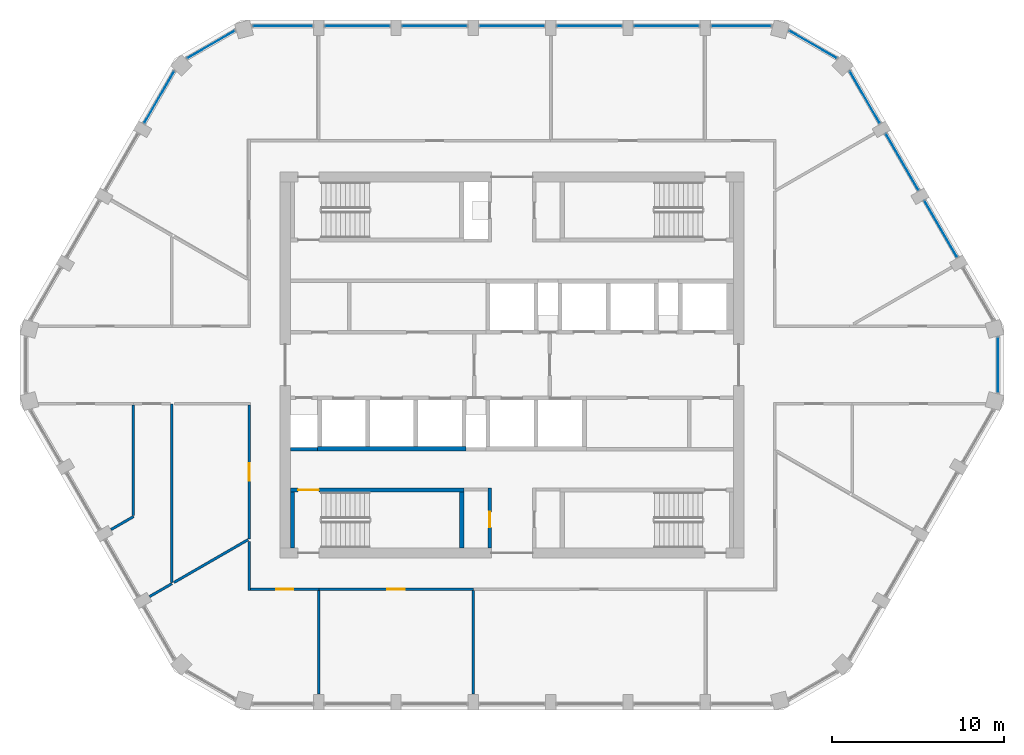
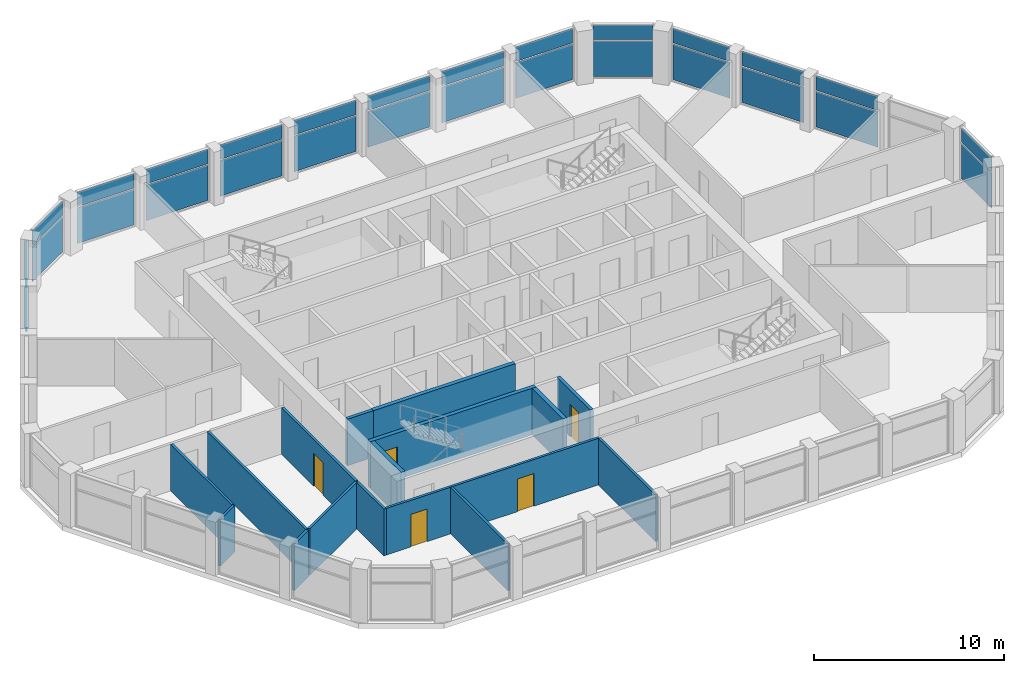
# One storey, part 8 of 15: 28 plates, 17 walls, 5 doors, 5 openings, 14 elements without a shape of their own.
"""IFC4 building model written with IfcOpenShell, lengths in metres."""

from ifc_helpers import new_model, si_unit, direction, frame, frame_2d, origin, origin_2d, place, context, subcontext, project, spatial, polyline, rectangle, outline, extrude, material, layer, layer_set, type_object, element, fill, aggregate, save


model = new_model("IFC4")

# Units and contexts
model_context = context("Model", 3, precision=1e-05, world=origin(), true_north=direction((0.0, 1.0)))
body_context = subcontext(model_context, "Body", "Model", "MODEL_VIEW")
ifc_project = project(units=[si_unit("LENGTHUNIT", "METRE"), si_unit("AREAUNIT", "SQUARE_METRE"), si_unit("VOLUMEUNIT", "CUBIC_METRE"), si_unit("PLANEANGLEUNIT", "RADIAN"), si_unit("MASSUNIT", "GRAM", prefix="KILO")], contexts=[model_context])

# Site, building, storey
site_placement = place(None, origin())
site = spatial("IfcSite", under=ifc_project, at=site_placement, CompositionType="ELEMENT")
building_placement = place(site_placement, origin())
building = spatial("IfcBuilding", under=site, at=building_placement, Name="Dhurran Vertical Campus", CompositionType="ELEMENT")
storey_placement = place(building_placement, frame((0.0, 0.0, 306.0)))
storey = spatial("IfcBuildingStorey", under=building, at=storey_placement, Name="L76", CompositionType="ELEMENT", Elevation=306.0)

# Curtain wall, plates
ifc_material_1 = material(Name="Aluminium frame with solar-control glass", Category="aluminium")
ifc_layer_1 = layer(ifc_material_1, 0.219970703125)
ifc_layer_set_1 = layer_set([ifc_layer_1], Name="Aluminium frame with solar-control glass")
curtain_wall_type = type_object("IfcCurtainWallType", Name="Student lounge glazing system", PredefinedType="NOTDEFINED", material=ifc_layer_set_1)
curtain_wall_1_placement = place(storey_placement, origin())
curtain_wall_1 = element("IfcCurtainWall", 1, at=curtain_wall_1_placement, inside=storey, type_object=curtain_wall_type, Name="CW5 L76.12", PredefinedType="NOTDEFINED")
ifc_material_2 = material(Name="Clear solar-control glass", Category="glass")
ifc_layer_2 = layer(ifc_material_2, 0.028076171875)
ifc_layer_set_2 = layer_set([ifc_layer_2], Name="Clear solar-control glass")
plate_type = type_object("IfcPlateType", Name="Student lounge glazing system panel", PredefinedType="CURTAIN_PANEL", material=ifc_layer_set_2)
plate_1_placement = place(storey_placement, frame((28.297119140625, 0.0, 0.070068359375), z_axis=(0.0, 0.0, 1.0), x_axis=(0.0, 1.0, 0.0)))
plate_1 = element("IfcPlate", 2, at=plate_1_placement, type_object=plate_type, Name="CW5 panel 1.1", PredefinedType="CURTAIN_PANEL", context=body_context, shape_type="SweptSolid", body=[
    extrude(rectangle(XDim=3.159912109375, YDim=0.028076171875, at=origin_2d()), origin(), (0.0, 0.0, 1.0), 2.294921875),
])
plate_2_placement = place(storey_placement, frame((28.297119140625, 0.0, 2.43505859375), z_axis=(0.0, 0.0, 1.0), x_axis=(0.0, 1.0, 0.0)))
plate_2 = element("IfcPlate", 3, at=plate_2_placement, type_object=plate_type, Name="CW5 panel 1.2", PredefinedType="CURTAIN_PANEL", context=body_context, shape_type="SweptSolid", body=[
    extrude(rectangle(XDim=3.159912109375, YDim=0.028076171875, at=origin_2d()), origin(), (0.0, 0.0, 1.0), 0.945068359375),
])
aggregate(curtain_wall_1, [plate_1, plate_2])

curtain_wall_2_placement = place(storey_placement, origin())
curtain_wall_2 = element("IfcCurtainWall", 4, at=curtain_wall_2_placement, inside=storey, type_object=curtain_wall_type, Name="CW5 L76.14", PredefinedType="NOTDEFINED")
plate_3_placement = place(storey_placement, frame((24.968994140625, 7.920654296875, 0.070068359375), z_axis=(0.0, 0.0, 1.0), x_axis=(-0.5000036704, 0.866023284668, 0.0)))
plate_3 = element("IfcPlate", 5, at=plate_3_placement, type_object=plate_type, Name="CW5 panel 1.1", PredefinedType="CURTAIN_PANEL", context=body_context, shape_type="SweptSolid", body=[
    extrude(rectangle(XDim=3.759033203125, YDim=0.028076171875, at=origin_2d()), origin(), (0.0, 0.0, 1.0), 2.294921875),
])
plate_4_placement = place(storey_placement, frame((24.968994140625, 7.920654296875, 2.43505859375), z_axis=(0.0, 0.0, 1.0), x_axis=(-0.5000036704, 0.866023284668, 0.0)))
plate_4 = element("IfcPlate", 6, at=plate_4_placement, type_object=plate_type, Name="CW5 panel 1.2", PredefinedType="CURTAIN_PANEL", context=body_context, shape_type="SweptSolid", body=[
    extrude(rectangle(XDim=3.759033203125, YDim=0.028076171875, at=origin_2d()), origin(), (0.0, 0.0, 1.0), 0.945068359375),
])
aggregate(curtain_wall_2, [plate_3, plate_4])

curtain_wall_3_placement = place(storey_placement, origin())
curtain_wall_3 = element("IfcCurtainWall", 7, at=curtain_wall_3_placement, inside=storey, type_object=curtain_wall_type, Name="CW5 L76.15", PredefinedType="NOTDEFINED")
plate_5_placement = place(storey_placement, frame((22.718994140625, 11.81787109375, 0.070068359375), z_axis=(0.0, 0.0, 1.0), x_axis=(-0.5000036704, 0.866023284668, 0.0)))
plate_5 = element("IfcPlate", 8, at=plate_5_placement, type_object=plate_type, Name="CW5 panel 1.1", PredefinedType="CURTAIN_PANEL", context=body_context, shape_type="SweptSolid", body=[
    extrude(rectangle(XDim=3.759033203125, YDim=0.028076171875, at=origin_2d()), origin(), (0.0, 0.0, 1.0), 2.294921875),
])
plate_6_placement = place(storey_placement, frame((22.718994140625, 11.81787109375, 2.43505859375), z_axis=(0.0, 0.0, 1.0), x_axis=(-0.5000036704, 0.866023284668, 0.0)))
plate_6 = element("IfcPlate", 9, at=plate_6_placement, type_object=plate_type, Name="CW5 panel 1.2", PredefinedType="CURTAIN_PANEL", context=body_context, shape_type="SweptSolid", body=[
    extrude(rectangle(XDim=3.759033203125, YDim=0.028076171875, at=origin_2d()), origin(), (0.0, 0.0, 1.0), 0.945068359375),
])
aggregate(curtain_wall_3, [plate_5, plate_6])

curtain_wall_4_placement = place(storey_placement, origin())
curtain_wall_4 = element("IfcCurtainWall", 10, at=curtain_wall_4_placement, inside=storey, type_object=curtain_wall_type, Name="CW5 L76.16", PredefinedType="NOTDEFINED")
plate_7_placement = place(storey_placement, frame((20.5439453125, 15.585205078125, 0.070068359375), z_axis=(0.0, 0.0, 1.0), x_axis=(-0.499996612136, 0.86602735976, 0.0)))
plate_7 = element("IfcPlate", 11, at=plate_7_placement, type_object=plate_type, Name="CW5 panel 1.1", PredefinedType="CURTAIN_PANEL", context=body_context, shape_type="SweptSolid", body=[
    extrude(rectangle(XDim=3.45947265625, YDim=0.028076171875, at=origin_2d()), origin(), (0.0, 0.0, 1.0), 2.294921875),
])
plate_8_placement = place(storey_placement, frame((20.5439453125, 15.585205078125, 2.43505859375), z_axis=(0.0, 0.0, 1.0), x_axis=(-0.499996612136, 0.86602735976, 0.0)))
plate_8 = element("IfcPlate", 12, at=plate_8_placement, type_object=plate_type, Name="CW5 panel 1.2", PredefinedType="CURTAIN_PANEL", context=body_context, shape_type="SweptSolid", body=[
    extrude(rectangle(XDim=3.45947265625, YDim=0.028076171875, at=origin_2d()), origin(), (0.0, 0.0, 1.0), 0.945068359375),
])
aggregate(curtain_wall_4, [plate_7, plate_8])

curtain_wall_5_placement = place(storey_placement, origin())
curtain_wall_5 = element("IfcCurtainWall", 13, at=curtain_wall_5_placement, inside=storey, type_object=curtain_wall_type, Name="CW5 L76.17", PredefinedType="NOTDEFINED")
plate_9_placement = place(storey_placement, frame((17.5234375, 18.660400390625, 0.070068359375), z_axis=(0.0, 0.0, 1.0), x_axis=(-0.866024598628, 0.500001394569, 0.0)))
plate_9 = element("IfcPlate", 14, at=plate_9_placement, type_object=plate_type, Name="CW5 panel 1.1", PredefinedType="CURTAIN_PANEL", context=body_context, shape_type="SweptSolid", body=[
    extrude(rectangle(XDim=3.159912109375, YDim=0.028076171875, at=origin_2d()), origin(), (0.0, 0.0, 1.0), 2.294921875),
])
plate_10_placement = place(storey_placement, frame((17.5234375, 18.660400390625, 2.43505859375), z_axis=(0.0, 0.0, 1.0), x_axis=(-0.866024598628, 0.500001394569, 0.0)))
plate_10 = element("IfcPlate", 15, at=plate_10_placement, type_object=plate_type, Name="CW5 panel 1.2", PredefinedType="CURTAIN_PANEL", context=body_context, shape_type="SweptSolid", body=[
    extrude(rectangle(XDim=3.159912109375, YDim=0.028076171875, at=origin_2d()), origin(), (0.0, 0.0, 1.0), 0.945068359375),
])
aggregate(curtain_wall_5, [plate_9, plate_10])

curtain_wall_6_placement = place(storey_placement, origin())
curtain_wall_6 = element("IfcCurtainWall", 16, at=curtain_wall_6_placement, inside=storey, type_object=curtain_wall_type, Name="CW5 L76.18", PredefinedType="NOTDEFINED")
plate_11_placement = place(storey_placement, frame((13.35009765625, 19.738525390625, 0.070068359375), z_axis=(0.0, 0.0, 1.0), x_axis=(-1.0, 0.0, 0.0)))
plate_11 = element("IfcPlate", 17, at=plate_11_placement, type_object=plate_type, Name="CW5 panel 1.1", PredefinedType="CURTAIN_PANEL", context=body_context, shape_type="SweptSolid", body=[
    extrude(rectangle(XDim=3.45947265625, YDim=0.028076171875, at=origin_2d()), origin(), (0.0, 0.0, 1.0), 2.294921875),
])
plate_12_placement = place(storey_placement, frame((13.35009765625, 19.738525390625, 2.43505859375), z_axis=(0.0, 0.0, 1.0), x_axis=(-1.0, 0.0, 0.0)))
plate_12 = element("IfcPlate", 18, at=plate_12_placement, type_object=plate_type, Name="CW5 panel 1.2", PredefinedType="CURTAIN_PANEL", context=body_context, shape_type="SweptSolid", body=[
    extrude(rectangle(XDim=3.45947265625, YDim=0.028076171875, at=origin_2d()), origin(), (0.0, 0.0, 1.0), 0.945068359375),
])
aggregate(curtain_wall_6, [plate_11, plate_12])

curtain_wall_7_placement = place(storey_placement, origin())
curtain_wall_7 = element("IfcCurtainWall", 19, at=curtain_wall_7_placement, inside=storey, type_object=curtain_wall_type, Name="CW5 L76.19", PredefinedType="NOTDEFINED")
plate_13_placement = place(storey_placement, frame((9.0, 19.738525390625, 0.070068359375), z_axis=(0.0, 0.0, 1.0), x_axis=(-1.0, 0.0, 0.0)))
plate_13 = element("IfcPlate", 20, at=plate_13_placement, type_object=plate_type, Name="CW5 panel 1.1", PredefinedType="CURTAIN_PANEL", context=body_context, shape_type="SweptSolid", body=[
    extrude(rectangle(XDim=3.759033203125, YDim=0.028076171875, at=origin_2d()), origin(), (0.0, 0.0, 1.0), 2.294921875),
])
plate_14_placement = place(storey_placement, frame((9.0, 19.738525390625, 2.43505859375), z_axis=(0.0, 0.0, 1.0), x_axis=(-1.0, 0.0, 0.0)))
plate_14 = element("IfcPlate", 21, at=plate_14_placement, type_object=plate_type, Name="CW5 panel 1.2", PredefinedType="CURTAIN_PANEL", context=body_context, shape_type="SweptSolid", body=[
    extrude(rectangle(XDim=3.759033203125, YDim=0.028076171875, at=origin_2d()), origin(), (0.0, 0.0, 1.0), 0.945068359375),
])
aggregate(curtain_wall_7, [plate_13, plate_14])

curtain_wall_8_placement = place(storey_placement, origin())
curtain_wall_8 = element("IfcCurtainWall", 22, at=curtain_wall_8_placement, inside=storey, type_object=curtain_wall_type, Name="CW5 L76.20", PredefinedType="NOTDEFINED")
plate_15_placement = place(storey_placement, frame((4.5, 19.738525390625, 0.070068359375), z_axis=(0.0, 0.0, 1.0), x_axis=(-1.0, 0.0, 0.0)))
plate_15 = element("IfcPlate", 23, at=plate_15_placement, type_object=plate_type, Name="CW5 panel 1.1", PredefinedType="CURTAIN_PANEL", context=body_context, shape_type="SweptSolid", body=[
    extrude(rectangle(XDim=3.759033203125, YDim=0.028076171875, at=origin_2d()), origin(), (0.0, 0.0, 1.0), 2.294921875),
])
plate_16_placement = place(storey_placement, frame((4.5, 19.738525390625, 2.43505859375), z_axis=(0.0, 0.0, 1.0), x_axis=(-1.0, 0.0, 0.0)))
plate_16 = element("IfcPlate", 24, at=plate_16_placement, type_object=plate_type, Name="CW5 panel 1.2", PredefinedType="CURTAIN_PANEL", context=body_context, shape_type="SweptSolid", body=[
    extrude(rectangle(XDim=3.759033203125, YDim=0.028076171875, at=origin_2d()), origin(), (0.0, 0.0, 1.0), 0.945068359375),
])
aggregate(curtain_wall_8, [plate_15, plate_16])

curtain_wall_9_placement = place(storey_placement, origin())
curtain_wall_9 = element("IfcCurtainWall", 25, at=curtain_wall_9_placement, inside=storey, type_object=curtain_wall_type, Name="CW5 L76.21", PredefinedType="NOTDEFINED")
plate_17_placement = place(storey_placement, frame((0.0, 19.738525390625, 0.070068359375), z_axis=(0.0, 0.0, 1.0), x_axis=(-1.0, 0.0, 0.0)))
plate_17 = element("IfcPlate", 26, at=plate_17_placement, type_object=plate_type, Name="CW5 panel 1.1", PredefinedType="CURTAIN_PANEL", context=body_context, shape_type="SweptSolid", body=[
    extrude(rectangle(XDim=3.759033203125, YDim=0.028076171875, at=origin_2d()), origin(), (0.0, 0.0, 1.0), 2.294921875),
])
plate_18_placement = place(storey_placement, frame((0.0, 19.738525390625, 2.43505859375), z_axis=(0.0, 0.0, 1.0), x_axis=(-1.0, 0.0, 0.0)))
plate_18 = element("IfcPlate", 27, at=plate_18_placement, type_object=plate_type, Name="CW5 panel 1.2", PredefinedType="CURTAIN_PANEL", context=body_context, shape_type="SweptSolid", body=[
    extrude(rectangle(XDim=3.759033203125, YDim=0.028076171875, at=origin_2d()), origin(), (0.0, 0.0, 1.0), 0.945068359375),
])
aggregate(curtain_wall_9, [plate_17, plate_18])

curtain_wall_10_placement = place(storey_placement, origin())
curtain_wall_10 = element("IfcCurtainWall", 28, at=curtain_wall_10_placement, inside=storey, type_object=curtain_wall_type, Name="CW5 L76.22", PredefinedType="NOTDEFINED")
plate_19_placement = place(storey_placement, frame((-4.5, 19.738525390625, 0.070068359375), z_axis=(0.0, 0.0, 1.0), x_axis=(-1.0, 0.0, 0.0)))
plate_19 = element("IfcPlate", 29, at=plate_19_placement, type_object=plate_type, Name="CW5 panel 1.1", PredefinedType="CURTAIN_PANEL", context=body_context, shape_type="SweptSolid", body=[
    extrude(rectangle(XDim=3.759033203125, YDim=0.028076171875, at=origin_2d()), origin(), (0.0, 0.0, 1.0), 2.294921875),
])
plate_20_placement = place(storey_placement, frame((-4.5, 19.738525390625, 2.43505859375), z_axis=(0.0, 0.0, 1.0), x_axis=(-1.0, 0.0, 0.0)))
plate_20 = element("IfcPlate", 30, at=plate_20_placement, type_object=plate_type, Name="CW5 panel 1.2", PredefinedType="CURTAIN_PANEL", context=body_context, shape_type="SweptSolid", body=[
    extrude(rectangle(XDim=3.759033203125, YDim=0.028076171875, at=origin_2d()), origin(), (0.0, 0.0, 1.0), 0.945068359375),
])
aggregate(curtain_wall_10, [plate_19, plate_20])

curtain_wall_11_placement = place(storey_placement, origin())
curtain_wall_11 = element("IfcCurtainWall", 31, at=curtain_wall_11_placement, inside=storey, type_object=curtain_wall_type, Name="CW5 L76.23", PredefinedType="NOTDEFINED")
plate_21_placement = place(storey_placement, frame((-9.0, 19.738525390625, 0.070068359375), z_axis=(0.0, 0.0, 1.0), x_axis=(-1.0, 0.0, 0.0)))
plate_21 = element("IfcPlate", 32, at=plate_21_placement, type_object=plate_type, Name="CW5 panel 1.1", PredefinedType="CURTAIN_PANEL", context=body_context, shape_type="SweptSolid", body=[
    extrude(rectangle(XDim=3.759033203125, YDim=0.028076171875, at=origin_2d()), origin(), (0.0, 0.0, 1.0), 2.294921875),
])
plate_22_placement = place(storey_placement, frame((-9.0, 19.738525390625, 2.43505859375), z_axis=(0.0, 0.0, 1.0), x_axis=(-1.0, 0.0, 0.0)))
plate_22 = element("IfcPlate", 33, at=plate_22_placement, type_object=plate_type, Name="CW5 panel 1.2", PredefinedType="CURTAIN_PANEL", context=body_context, shape_type="SweptSolid", body=[
    extrude(rectangle(XDim=3.759033203125, YDim=0.028076171875, at=origin_2d()), origin(), (0.0, 0.0, 1.0), 0.945068359375),
])
aggregate(curtain_wall_11, [plate_21, plate_22])

curtain_wall_12_placement = place(storey_placement, origin())
curtain_wall_12 = element("IfcCurtainWall", 34, at=curtain_wall_12_placement, inside=storey, type_object=curtain_wall_type, Name="CW5 L76.24", PredefinedType="NOTDEFINED")
plate_23_placement = place(storey_placement, frame((-13.35009765625, 19.738525390625, 0.070068359375), z_axis=(0.0, 0.0, 1.0), x_axis=(-1.0, 0.0, 0.0)))
plate_23 = element("IfcPlate", 35, at=plate_23_placement, type_object=plate_type, Name="CW5 panel 1.1", PredefinedType="CURTAIN_PANEL", context=body_context, shape_type="SweptSolid", body=[
    extrude(rectangle(XDim=3.45947265625, YDim=0.028076171875, at=origin_2d()), origin(), (0.0, 0.0, 1.0), 2.294921875),
])
plate_24_placement = place(storey_placement, frame((-13.35009765625, 19.738525390625, 2.43505859375), z_axis=(0.0, 0.0, 1.0), x_axis=(-1.0, 0.0, 0.0)))
plate_24 = element("IfcPlate", 36, at=plate_24_placement, type_object=plate_type, Name="CW5 panel 1.2", PredefinedType="CURTAIN_PANEL", context=body_context, shape_type="SweptSolid", body=[
    extrude(rectangle(XDim=3.45947265625, YDim=0.028076171875, at=origin_2d()), origin(), (0.0, 0.0, 1.0), 0.945068359375),
])
aggregate(curtain_wall_12, [plate_23, plate_24])

curtain_wall_13_placement = place(storey_placement, origin())
curtain_wall_13 = element("IfcCurtainWall", 37, at=curtain_wall_13_placement, inside=storey, type_object=curtain_wall_type, Name="CW5 L76.25", PredefinedType="NOTDEFINED")
plate_25_placement = place(storey_placement, frame((-17.5234375, 18.660400390625, 0.070068359375), z_axis=(0.0, 0.0, 1.0), x_axis=(-0.866024598628, -0.500001394569, 0.0)))
plate_25 = element("IfcPlate", 38, at=plate_25_placement, type_object=plate_type, Name="CW5 panel 1.1", PredefinedType="CURTAIN_PANEL", context=body_context, shape_type="SweptSolid", body=[
    extrude(rectangle(XDim=3.159912109375, YDim=0.028076171875, at=origin_2d()), origin(), (0.0, 0.0, 1.0), 2.294921875),
])
plate_26_placement = place(storey_placement, frame((-17.5234375, 18.660400390625, 2.43505859375), z_axis=(0.0, 0.0, 1.0), x_axis=(-0.866024598628, -0.500001394569, 0.0)))
plate_26 = element("IfcPlate", 39, at=plate_26_placement, type_object=plate_type, Name="CW5 panel 1.2", PredefinedType="CURTAIN_PANEL", context=body_context, shape_type="SweptSolid", body=[
    extrude(rectangle(XDim=3.159912109375, YDim=0.028076171875, at=origin_2d()), origin(), (0.0, 0.0, 1.0), 0.945068359375),
])
aggregate(curtain_wall_13, [plate_25, plate_26])

curtain_wall_14_placement = place(storey_placement, origin())
curtain_wall_14 = element("IfcCurtainWall", 40, at=curtain_wall_14_placement, inside=storey, type_object=curtain_wall_type, Name="CW5 L76.26", PredefinedType="NOTDEFINED")
plate_27_placement = place(storey_placement, frame((-20.5439453125, 15.585205078125, 0.070068359375), z_axis=(0.0, 0.0, 1.0), x_axis=(-0.499996612136, -0.86602735976, 0.0)))
plate_27 = element("IfcPlate", 41, at=plate_27_placement, type_object=plate_type, Name="CW5 panel 1.1", PredefinedType="CURTAIN_PANEL", context=body_context, shape_type="SweptSolid", body=[
    extrude(rectangle(XDim=3.45947265625, YDim=0.028076171875, at=origin_2d()), origin(), (0.0, 0.0, 1.0), 2.294921875),
])
plate_28_placement = place(storey_placement, frame((-20.5439453125, 15.585205078125, 2.43505859375), z_axis=(0.0, 0.0, 1.0), x_axis=(-0.499996612136, -0.86602735976, 0.0)))
plate_28 = element("IfcPlate", 42, at=plate_28_placement, type_object=plate_type, Name="CW5 panel 1.2", PredefinedType="CURTAIN_PANEL", context=body_context, shape_type="SweptSolid", body=[
    extrude(rectangle(XDim=3.45947265625, YDim=0.028076171875, at=origin_2d()), origin(), (0.0, 0.0, 1.0), 0.945068359375),
])
aggregate(curtain_wall_14, [plate_27, plate_28])

# Wall, opening, door
ifc_material_3 = material(Name="Fire-rated masonry blockwork", Category="masonry")
ifc_layer_3 = layer(ifc_material_3, 0.199951171875)
ifc_layer_set_3 = layer_set([ifc_layer_3], Name="Fire-rated masonry blockwork")
wall_type_1 = type_object("IfcWallType", Name="co-FIRE-PARTITION-200", PredefinedType="PARTITIONING", material=ifc_layer_set_3)
wall_1_placement = place(storey_placement, frame((-1.300048828125, -10.64990234375, 0.0), z_axis=(0.0, 0.0, 1.0), x_axis=(0.0, 1.0, 0.0)))
wall_1 = element("IfcWall", 43, at=wall_1_placement, inside=storey, type_object=wall_type_1, Name="Core partition vest-SW L76", PredefinedType="PARTITIONING", context=body_context, shape_type="SweptSolid", body=[
    extrude(rectangle(XDim=3.5, YDim=0.199951171875, at=frame_2d((1.75, 0.0))), origin(), (0.0, 0.0, 1.0), 3.0),
])
opening_1_placement = place(wall_1_placement, frame((1.199951171875, 0.0, 0.0)))
opening_1 = element("IfcOpeningElement", 44, at=opening_1_placement, cuts=wall_1, Name="Opening T22-C1", PredefinedType="OPENING", context=body_context, shape_type="SweptSolid", body=[
    extrude(rectangle(XDim=0.89990234375, YDim=2.10009765625, at=frame_2d((0.449951171875, 1.050048828125))), frame((0.0, 0.10986328125, 0.0), z_axis=(0.0, -1.0, 0.0), x_axis=(1.0, 0.0, 0.0)), (0.0, 0.0, 1.0), 0.219970703125),
])
ifc_material_4 = material(Name="Fire-rated timber door set", Category="wood")
door_type_1 = type_object("IfcDoorType", Name="co-D-ROOM 900x2100", OperationType="SINGLE_SWING_LEFT", PredefinedType="DOOR", material=ifc_material_4)
door_1_placement = place(opening_1_placement, origin())
door_1 = element("IfcDoor", 45, at=door_1_placement, inside=storey, type_object=door_type_1, Name="Housekeeping store door L76", OperationType="SINGLE_SWING_LEFT", OverallHeight=2.10009765625, OverallWidth=0.89990234375, PredefinedType="DOOR", context=body_context, shape_type="SweptSolid", body=[
    extrude(rectangle(XDim=0.89990234375, YDim=2.10009765625, at=frame_2d((0.449951171875, 1.050048828125))), frame((0.0, 0.02490234375, 0.0), z_axis=(0.0, -1.0, 0.0), x_axis=(1.0, 0.0, 0.0)), (0.0, 0.0, 1.0), 0.050048828125),
])
fill(opening_1, door_1)

# Walls
wall_2_placement = place(storey_placement, frame((-12.89990234375, -4.89990234375, 0.0), z_axis=(0.0, 0.0, 1.0), x_axis=(1.0, 0.0, 0.0)))
element("IfcWall", 46, at=wall_2_placement, inside=storey, type_object=wall_type_1, Name="Core partition fr-S0-b L76", PredefinedType="PARTITIONING", context=body_context, shape_type="SweptSolid", body=[
    extrude(rectangle(XDim=1.574951171875, YDim=0.199951171875, at=frame_2d((0.78759765625, 0.0))), origin(), (0.0, 0.0, 1.0), 3.0),
])
ifc_material_5 = material(Name="Concrete C50/60", Category="concrete")
ifc_layer_4 = layer(ifc_material_5, 0.25)
ifc_layer_set_4 = layer_set([ifc_layer_4], Name="Concrete C50/60")
wall_type_2 = type_object("IfcWallType", Name="co-SHAFT-MASS-250", PredefinedType="SHEAR", material=ifc_layer_set_4)
wall_3_placement = place(storey_placement, origin())
element("IfcWall", 47, at=wall_3_placement, inside=storey, type_object=wall_type_2, Name="Lift shaft wall S L76 1", PredefinedType="SHEAR", context=body_context, shape_type="SweptSolid", body=[
    extrude(outline(polyline([(-11.324951171875, -5.0), (-2.675048828125, -5.0), (-2.675048828125, -4.75), (-11.324951171875, -4.75), (-11.324951171875, -5.0)])), origin(), (0.0, 0.0, 1.0), 3.0),
])

# Wall, opening, door
ifc_material_6 = material(Name="Concrete C40/50", Category="concrete")
ifc_layer_5 = layer(ifc_material_6, 0.25)
ifc_layer_set_5 = layer_set([ifc_layer_5], Name="Concrete C40/50")
wall_type_3 = type_object("IfcWallType", Name="co-STAIR-WALL-250", PredefinedType="SHEAR", material=ifc_layer_set_5)
wall_4_placement = place(storey_placement, frame((-12.89990234375, -7.27490234375, 0.0), z_axis=(0.0, 0.0, 1.0), x_axis=(1.0, 0.0, 0.0)))
wall_4 = element("IfcWall", 48, at=wall_4_placement, inside=storey, type_object=wall_type_3, Name="Stair ST3 enclosure wall L76", PredefinedType="SHEAR", context=body_context, shape_type="SweptSolid", body=[
    extrude(rectangle(XDim=10.099853515625, YDim=0.25, at=frame_2d((5.0498046875, 0.0))), origin(), (0.0, 0.0, 1.0), 3.0),
])
opening_2_placement = place(wall_4_placement, frame((0.449951171875, 0.0, 0.0)))
opening_2 = element("IfcOpeningElement", 49, at=opening_2_placement, cuts=wall_4, Name="Opening SD3", PredefinedType="OPENING", context=body_context, shape_type="SweptSolid", body=[
    extrude(rectangle(XDim=1.199951171875, YDim=2.10009765625, at=frame_2d((0.60009765625, 1.050048828125))), frame((0.0, 0.135009765625, 0.0), z_axis=(0.0, -1.0, 0.0), x_axis=(1.0, 0.0, 0.0)), (0.0, 0.0, 1.0), 0.27001953125),
])
ifc_material_7 = material(Name="Fire-rated steel door set", Category="steel")
door_type_2 = type_object("IfcDoorType", Name="co-D-STAIR 1200x2100", OperationType="SINGLE_SWING_LEFT", PredefinedType="DOOR", material=ifc_material_7)
door_2_placement = place(opening_2_placement, origin())
door_2 = element("IfcDoor", 50, at=door_2_placement, inside=storey, type_object=door_type_2, Name="Stair ST3 door L76", OperationType="SINGLE_SWING_LEFT", OverallHeight=2.10009765625, OverallWidth=1.199951171875, PredefinedType="DOOR", context=body_context, shape_type="SweptSolid", body=[
    extrude(rectangle(XDim=1.199951171875, YDim=2.10009765625, at=frame_2d((0.60009765625, 1.050048828125))), frame((0.0, 0.02490234375, 0.0), z_axis=(0.0, -1.0, 0.0), x_axis=(1.0, 0.0, 0.0)), (0.0, 0.0, 1.0), 0.050048828125),
])
fill(opening_2, door_2)

# Walls
for number, where, z_axis, x_axis, name in (
    (51, (-12.77490234375, -10.64990234375, 0.0), (0.0, 0.0, 1.0), (0.0, 1.0, 0.0), "Stair ST3 enclosure wall L76"),
    (52, (-2.925048828125, -10.64990234375, 0.0), (0.0, 0.0, 1.0), (0.0, 1.0, 0.0), "Stair ST3 enclosure wall L76"),
):
    element("IfcWall", number, at=place(storey_placement, frame(where, z_axis=z_axis, x_axis=x_axis)), inside=storey, type_object=wall_type_3, Name=name, PredefinedType="SHEAR", context=body_context, shape_type="SweptSolid", body=[
        extrude(rectangle(XDim=3.25, YDim=0.25, at=frame_2d((1.625, 0.0))), origin(), (0.0, 0.0, 1.0), 3.0),
    ])
ifc_material_8 = material(Name="Gypsum board corridor wall on steel studs", Category="steel")
ifc_layer_6 = layer(ifc_material_8, 0.14990234375)
ifc_layer_set_6 = layer_set([ifc_layer_6], Name="Gypsum board corridor wall on steel studs")
wall_type_4 = type_object("IfcWallType", Name="fl-CW-150 corridor wall", PredefinedType="PARTITIONING", material=ifc_layer_set_6)
wall_5_placement = place(storey_placement, frame((-15.300048828125, -10.261962890625, 0.0), z_axis=(0.0, 0.0, 1.0), x_axis=(0.0, -1.0, 0.0)))
element("IfcWall", 53, at=wall_5_placement, inside=storey, type_object=wall_type_4, Name="Partition 76-14", PredefinedType="PARTITIONING", context=body_context, shape_type="SweptSolid", body=[
    extrude(rectangle(XDim=2.863037109375, YDim=0.14990234375, at=frame_2d((1.431640625, 0.0))), origin(), (0.0, 0.0, 1.0), 3.0),
])

# Wall, opening, door
wall_6_placement = place(storey_placement, frame((-15.22509765625, -13.050048828125, 0.0), z_axis=(0.0, 0.0, 1.0), x_axis=(1.0, 0.0, 0.0)))
wall_6 = element("IfcWall", 54, at=wall_6_placement, inside=storey, type_object=wall_type_4, Name="Partition 76-15", PredefinedType="PARTITIONING", context=body_context, shape_type="SweptSolid", body=[
    extrude(rectangle(XDim=3.97509765625, YDim=0.14990234375, at=frame_2d((1.987548828125, 0.0))), origin(), (0.0, 0.0, 1.0), 3.0),
])
opening_3_placement = place(wall_6_placement, frame((1.487548828125, 0.0, 0.0)))
opening_3 = element("IfcOpeningElement", 55, at=opening_3_placement, cuts=wall_6, Name="Opening T22.07", PredefinedType="OPENING", context=body_context, shape_type="SweptSolid", body=[
    extrude(rectangle(XDim=1.0, YDim=2.10009765625, at=frame_2d((0.5, 1.050048828125))), frame((0.0, 0.0849609375, 0.0), z_axis=(0.0, -1.0, 0.0), x_axis=(1.0, 0.0, 0.0)), (0.0, 0.0, 1.0), 0.169921875),
])
ifc_material_9 = material(Name="Solid-core timber door set, fire-rated", Category="wood")
door_type_3 = type_object("IfcDoorType", Name="fl-D-1000x2100", OperationType="SINGLE_SWING_LEFT", PredefinedType="DOOR", material=ifc_material_9)
door_3_placement = place(opening_3_placement, origin())
door_3 = element("IfcDoor", 56, at=door_3_placement, inside=storey, type_object=door_type_3, Name="Door 76.07", OperationType="SINGLE_SWING_RIGHT", OverallHeight=2.10009765625, OverallWidth=1.0, PredefinedType="DOOR", context=body_context, shape_type="SweptSolid", body=[
    extrude(rectangle(XDim=1.0, YDim=2.10009765625, at=frame_2d((0.5, 1.050048828125))), frame((0.0, 0.02490234375, 0.0), z_axis=(0.0, -1.0, 0.0), x_axis=(1.0, 0.0, 0.0)), (0.0, 0.0, 1.0), 0.050048828125),
])
fill(opening_3, door_3)

wall_7_placement = place(storey_placement, frame((-15.300048828125, -2.324951171875, 0.0), z_axis=(0.0, 0.0, 1.0), x_axis=(0.0, -1.0, 0.0)))
wall_7 = element("IfcWall", 57, at=wall_7_placement, inside=storey, type_object=wall_type_4, Name="Partition 76-16", PredefinedType="PARTITIONING", context=body_context, shape_type="SweptSolid", body=[
    extrude(rectangle(XDim=7.80712890625, YDim=0.14990234375, at=frame_2d((3.903564453125, 0.0))), origin(), (0.0, 0.0, 1.0), 3.0),
])
opening_4_placement = place(wall_7_placement, frame((3.403564453125, 0.0, 0.0)))
opening_4 = element("IfcOpeningElement", 58, at=opening_4_placement, cuts=wall_7, Name="Opening T22.05", PredefinedType="OPENING", context=body_context, shape_type="SweptSolid", body=[
    extrude(rectangle(XDim=1.0, YDim=2.10009765625, at=frame_2d((0.5, 1.050048828125))), frame((0.0, 0.0849609375, 0.0), z_axis=(0.0, -1.0, 0.0), x_axis=(1.0, 0.0, 0.0)), (0.0, 0.0, 1.0), 0.169921875),
])
door_4_placement = place(opening_4_placement, origin())
door_4 = element("IfcDoor", 59, at=door_4_placement, inside=storey, type_object=door_type_3, Name="Door 76.05", OperationType="SINGLE_SWING_RIGHT", OverallHeight=2.10009765625, OverallWidth=1.0, PredefinedType="DOOR", context=body_context, shape_type="SweptSolid", body=[
    extrude(rectangle(XDim=1.0, YDim=2.10009765625, at=frame_2d((0.5, 1.050048828125))), frame((0.0, 0.02490234375, 0.0), z_axis=(0.0, -1.0, 0.0), x_axis=(1.0, 0.0, 0.0)), (0.0, 0.0, 1.0), 0.050048828125),
])
fill(opening_4, door_4)

wall_8_placement = place(storey_placement, frame((-11.25, -13.050048828125, 0.0), z_axis=(0.0, 0.0, 1.0), x_axis=(1.0, 0.0, 0.0)))
wall_8 = element("IfcWall", 60, at=wall_8_placement, inside=storey, type_object=wall_type_4, Name="Partition 76-21", PredefinedType="PARTITIONING", context=body_context, shape_type="SweptSolid", body=[
    extrude(rectangle(XDim=9.0, YDim=0.14990234375, at=frame_2d((4.5, 0.0))), origin(), (0.0, 0.0, 1.0), 3.0),
])
opening_5_placement = place(wall_8_placement, frame((4.0, 0.0, 0.0)))
opening_5 = element("IfcOpeningElement", 61, at=opening_5_placement, cuts=wall_8, Name="Opening T22.08", PredefinedType="OPENING", context=body_context, shape_type="SweptSolid", body=[
    extrude(rectangle(XDim=1.0, YDim=2.10009765625, at=frame_2d((0.5, 1.050048828125))), frame((0.0, 0.0849609375, 0.0), z_axis=(0.0, -1.0, 0.0), x_axis=(1.0, 0.0, 0.0)), (0.0, 0.0, 1.0), 0.169921875),
])
door_5_placement = place(opening_5_placement, origin())
door_5 = element("IfcDoor", 62, at=door_5_placement, inside=storey, type_object=door_type_3, Name="Door 76.08", OperationType="SINGLE_SWING_LEFT", OverallHeight=2.10009765625, OverallWidth=1.0, PredefinedType="DOOR", context=body_context, shape_type="SweptSolid", body=[
    extrude(rectangle(XDim=1.0, YDim=2.10009765625, at=frame_2d((0.5, 1.050048828125))), frame((0.0, 0.02490234375, 0.0), z_axis=(0.0, -1.0, 0.0), x_axis=(1.0, 0.0, 0.0)), (0.0, 0.0, 1.0), 0.050048828125),
])
fill(opening_5, door_5)

# Walls
ifc_material_10 = material(Name="Gypsum board partition on steel studs", Category="steel")
ifc_layer_7 = layer(ifc_material_10, 0.14990234375)
ifc_layer_set_7 = layer_set([ifc_layer_7], Name="Gypsum board partition on steel studs")
wall_type_5 = type_object("IfcWallType", Name="fl-PW-150 fixed partition", PredefinedType="PARTITIONING", material=ifc_layer_set_7)
wall_9_placement = place(storey_placement, frame((-22.0283203125, -8.820556640625, 0.0), z_axis=(0.0, 0.0, 1.0), x_axis=(-0.86598050703, -0.500077755398, 0.0)))
element("IfcWall", 63, at=wall_9_placement, inside=storey, type_object=wall_type_5, Name="Partition 76-03", PredefinedType="PARTITIONING", context=body_context, shape_type="SweptSolid", body=[
    extrude(rectangle(XDim=1.526611328125, YDim=0.14990234375, at=frame_2d((0.76318359375, 0.0))), origin(), (0.0, 0.0, 1.0), 3.0),
])
wall_10_placement = place(storey_placement, frame((-22.050048828125, -2.324951171875, 0.0), z_axis=(0.0, 0.0, 1.0), x_axis=(0.0, -1.0, 0.0)))
element("IfcWall", 64, at=wall_10_placement, inside=storey, type_object=wall_type_5, Name="Partition 76-05", PredefinedType="PARTITIONING", context=body_context, shape_type="SweptSolid", body=[
    extrude(rectangle(XDim=6.43310546875, YDim=0.14990234375, at=frame_2d((3.216552734375, 0.0))), origin(), (0.0, 0.0, 1.0), 3.0),
])
wall_11_placement = place(storey_placement, frame((-19.800048828125, -12.72998046875, 0.0), z_axis=(0.0, 0.0, 1.0), x_axis=(-0.865922963245, -0.500177390258, 0.0)))
element("IfcWall", 65, at=wall_11_placement, inside=storey, type_object=wall_type_5, Name="Partition 76-07", PredefinedType="PARTITIONING", context=body_context, shape_type="SweptSolid", body=[
    extrude(rectangle(XDim=1.501953125, YDim=0.14990234375, at=frame_2d((0.7509765625, 0.0))), origin(), (0.0, 0.0, 1.0), 3.0),
])
wall_12_placement = place(storey_placement, frame((-19.800048828125, -2.262939453125, 0.0), z_axis=(0.0, 0.0, 1.0), x_axis=(0.0, -1.0, 0.0)))
element("IfcWall", 66, at=wall_12_placement, inside=storey, type_object=wall_type_5, Name="Partition 76-08", PredefinedType="PARTITIONING", context=body_context, shape_type="SweptSolid", body=[
    extrude(rectangle(XDim=10.39208984375, YDim=0.14990234375, at=frame_2d((5.196044921875, 0.0))), origin(), (0.0, 0.0, 1.0), 3.0),
])
wall_13_placement = place(storey_placement, frame((-15.364990234375, -10.16943359375, 0.0), z_axis=(0.0, 0.0, 1.0), x_axis=(-0.866025118187, -0.500000494669, 0.0)))
element("IfcWall", 67, at=wall_13_placement, inside=storey, type_object=wall_type_5, Name="Partition 76-09", PredefinedType="PARTITIONING", context=body_context, shape_type="SweptSolid", body=[
    extrude(rectangle(XDim=4.9912109375, YDim=0.14990234375, at=frame_2d((2.49560546875, 0.0))), origin(), (0.0, 0.0, 1.0), 3.0),
])
for number, where, z_axis, x_axis, name in (
    (68, (-11.25, -13.125, 0.0), (0.0, 0.0, 1.0), (0.0, -1.0, 0.0), "Partition 76-20"),
    (69, (-2.25, -13.125, 0.0), (0.0, 0.0, 1.0), (0.0, -1.0, 0.0), "Partition 76-24"),
):
    element("IfcWall", number, at=place(storey_placement, frame(where, z_axis=z_axis, x_axis=x_axis)), inside=storey, type_object=wall_type_5, Name=name, PredefinedType="PARTITIONING", context=body_context, shape_type="SweptSolid", body=[
        extrude(rectangle(XDim=6.04345703125, YDim=0.14990234375, at=frame_2d((3.021728515625, 0.0))), origin(), (0.0, 0.0, 1.0), 3.0),
    ])

save(model, "model.ifc")
